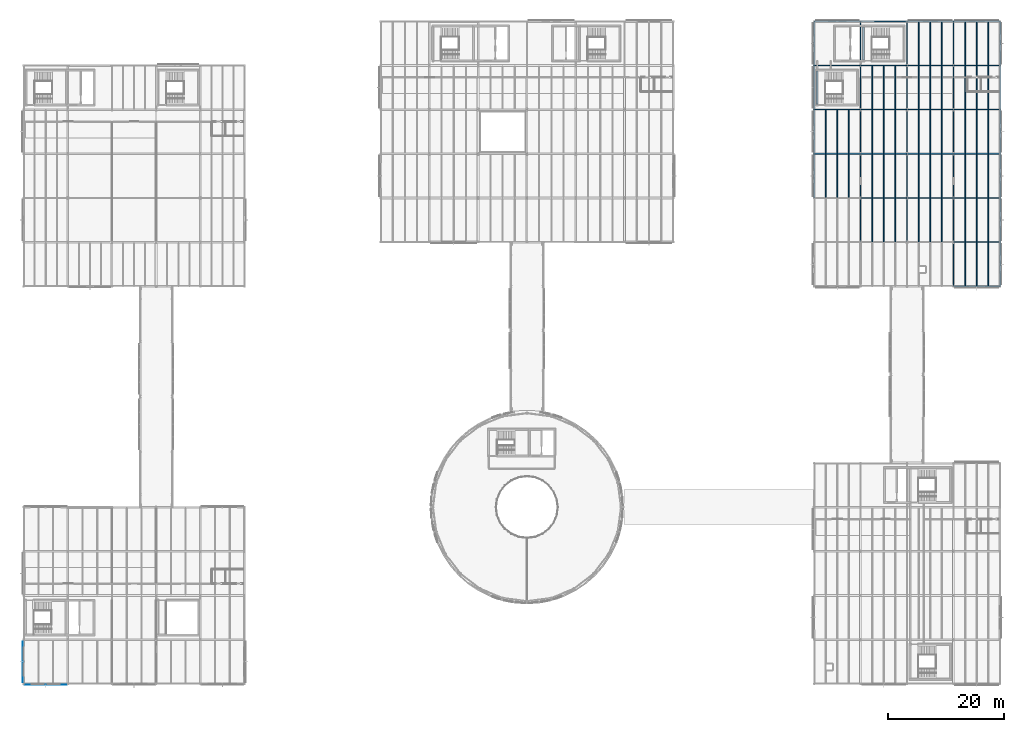
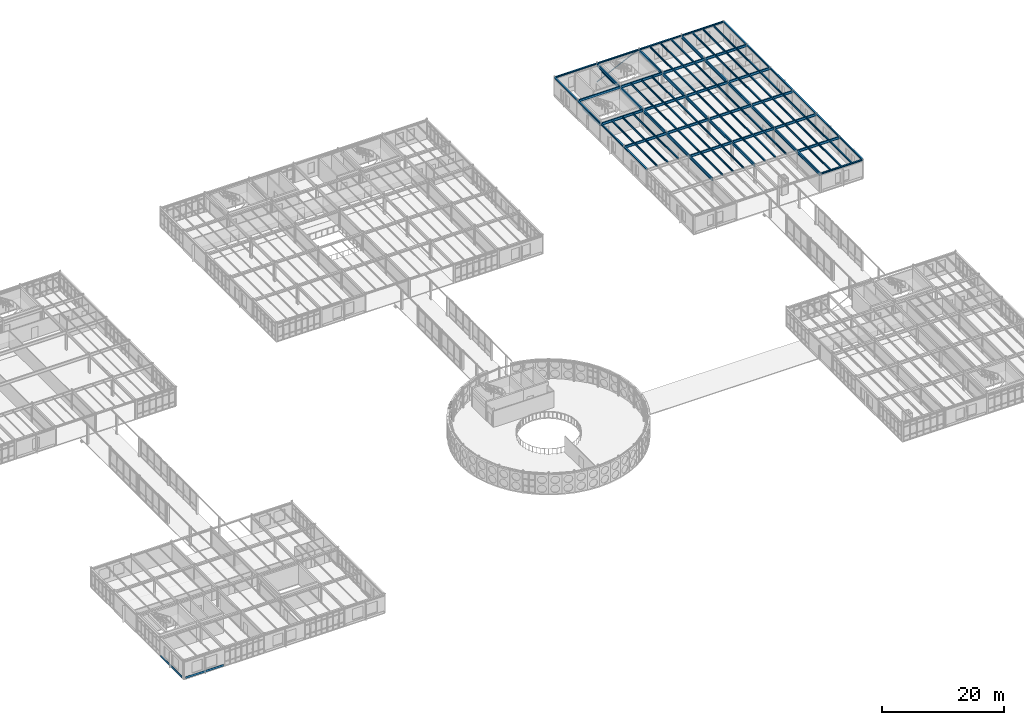
# One storey, part 136 of 189: 100 beams, 2 plates, 1 member.
"""IFC4 building model written with IfcOpenShell, lengths in metres."""

from ifc_helpers import new_model, si_unit, direction, frame, origin, origin_2d, place, context, subcontext, project, spatial, rectangle, hollow_circle, i_section, extrude, material, layer, layer_set, material_profile, profile_set, type_object, element, save


model = new_model("IFC4")

# Units and contexts
model_context = context("Model", 3, precision=1e-05, world=origin(), true_north=direction((0.0, 1.0)))
body_context = subcontext(model_context, "Body", "Model", "MODEL_VIEW")
ifc_project = project(units=[si_unit("LENGTHUNIT", "METRE"), si_unit("AREAUNIT", "SQUARE_METRE"), si_unit("VOLUMEUNIT", "CUBIC_METRE"), si_unit("PLANEANGLEUNIT", "RADIAN"), si_unit("MASSUNIT", "GRAM", prefix="KILO")], contexts=[model_context])

# Site, building, storey
site_placement = place(None, origin())
site = spatial("IfcSite", under=ifc_project, at=site_placement, CompositionType="ELEMENT")
building_placement = place(site_placement, origin())
building = spatial("IfcBuilding", under=site, at=building_placement, Name="Montecoro Central Library", CompositionType="ELEMENT")
storey_placement = place(building_placement, frame((0.0, 0.0, 9.179931640625)))
storey = spatial("IfcBuildingStorey", under=building, at=storey_placement, Name="L02", CompositionType="ELEMENT", Elevation=9.179931640625)

# Beams
ifc_material_1 = material(Name="Steel S355", Category="steel")
ifc_material_profile_1 = material_profile(ifc_material_1, i_section(OverallWidth=0.199951171875, OverallDepth=0.5, WebThickness=0.01025390625, FlangeThickness=0.01611328125, at=origin_2d()), Name="IPE 500")
ifc_profile_set_1 = profile_set([ifc_material_profile_1], Name="Steel S355")
beam_type_1 = type_object("IfcBeamType", Name="BM-G-IPE500", PredefinedType="USERDEFINED", material=ifc_profile_set_1)
for number, where, z_axis, x_axis, name in (
    (1, (165.0048828125, 81.0, 3.565185546875), (1.0, 0.0, 0.0), (0.0, 1.0, 0.0), "V5-L02-BX-2122-L"),
    (2, (149.0048828125, 88.60009765625, 3.565185546875), (1.0, 0.0, 0.0), (0.0, 1.0, 0.0), "V5-L02-BX-1920-M"),
    (3, (157.0048828125, 88.60009765625, 3.565185546875), (1.0, 0.0, 0.0), (0.0, 1.0, 0.0), "V5-L02-BX-2021-M"),
    (4, (165.0048828125, 88.60009765625, 3.565185546875), (1.0, 0.0, 0.0), (0.0, 1.0, 0.0), "V5-L02-BX-2122-M"),
    (5, (141.0048828125, 96.199951171875, 3.565185546875), (1.0, 0.0, 0.0), (0.0, 1.0, 0.0), "V5-L02-BX-1819-N"),
    (6, (149.0048828125, 96.199951171875, 3.565185546875), (1.0, 0.0, 0.0), (0.0, 1.0, 0.0), "V5-L02-BX-1920-N"),
    (7, (157.0048828125, 96.199951171875, 3.565185546875), (1.0, 0.0, 0.0), (0.0, 1.0, 0.0), "V5-L02-BX-2021-N"),
    (8, (165.0048828125, 96.199951171875, 3.565185546875), (1.0, 0.0, 0.0), (0.0, 1.0, 0.0), "V5-L02-BX-2122-N"),
    (9, (141.0048828125, 103.800048828125, 3.565185546875), (1.0, 0.0, 0.0), (0.0, 1.0, 0.0), "V5-L02-BX-1819-P"),
    (10, (149.0048828125, 103.800048828125, 3.565185546875), (1.0, 0.0, 0.0), (0.0, 1.0, 0.0), "V5-L02-BX-1920-P"),
    (11, (157.0048828125, 103.800048828125, 3.565185546875), (1.0, 0.0, 0.0), (0.0, 1.0, 0.0), "V5-L02-BX-2021-P"),
    (12, (165.0048828125, 103.800048828125, 3.565185546875), (1.0, 0.0, 0.0), (0.0, 1.0, 0.0), "V5-L02-BX-2122-P"),
    (13, (141.0048828125, 111.39990234375, 3.565185546875), (1.0, 0.0, 0.0), (0.0, 1.0, 0.0), "V5-L02-BX-1819-Q"),
    (14, (149.0048828125, 111.39990234375, 3.565185546875), (1.0, 0.0, 0.0), (0.0, 1.0, 0.0), "V5-L02-BX-1920-Q"),
    (15, (157.0048828125, 111.39990234375, 3.565185546875), (1.0, 0.0, 0.0), (0.0, 1.0, 0.0), "V5-L02-BX-2021-Q"),
    (16, (165.0048828125, 111.39990234375, 3.565185546875), (1.0, 0.0, 0.0), (0.0, 1.0, 0.0), "V5-L02-BX-2122-Q"),
):
    element("IfcBeam", number, at=place(storey_placement, frame(where, z_axis=z_axis, x_axis=x_axis)), inside=storey, type_object=beam_type_1, Name=name, ObjectType="GIRDER", PredefinedType="USERDEFINED", context=body_context, shape_type="SweptSolid", body=[
        extrude(i_section(OverallWidth=0.199951171875, OverallDepth=0.5, WebThickness=0.01025390625, FlangeThickness=0.01611328125, at=origin_2d()), origin(), (0.0, 0.0, 1.0), 7.990234375),
    ])
ifc_material_2 = material(Name="Steel S355J2", Category="steel")
ifc_material_profile_2 = material_profile(ifc_material_2, i_section(OverallWidth=0.219970703125, OverallDepth=0.60009765625, WebThickness=0.011962890625, FlangeThickness=0.01904296875, at=origin_2d()), Name="IPE 600")
ifc_profile_set_2 = profile_set([ifc_material_profile_2], Name="Steel S355J2")
beam_type_2 = type_object("IfcBeamType", Name="BM-G-IPE600", PredefinedType="USERDEFINED", material=ifc_profile_set_2)
for number, where, z_axis, x_axis, name in (
    (17, (149.0, 81.0048828125, 3.51513671875), (0.0, 1.0, 0.0), (-1.0, 0.0, 0.0), "V5-L02-BY-19-LM"),
    (18, (149.0, 88.60498046875, 3.51513671875), (0.0, 1.0, 0.0), (-1.0, 0.0, 0.0), "V5-L02-BY-19-MN"),
):
    element("IfcBeam", number, at=place(storey_placement, frame(where, z_axis=z_axis, x_axis=x_axis)), inside=storey, type_object=beam_type_2, Name=name, ObjectType="GIRDER", PredefinedType="USERDEFINED", context=body_context, shape_type="SweptSolid", body=[
        extrude(i_section(OverallWidth=0.219970703125, OverallDepth=0.60009765625, WebThickness=0.011962890625, FlangeThickness=0.01904296875, at=origin_2d()), origin(), (0.0, 0.0, 1.0), 7.590087890625),
    ])
beam_1_placement = place(storey_placement, frame((149.0, 96.205078125, 3.51513671875), z_axis=(0.0, 1.0, 0.0), x_axis=(-1.0, 0.0, 0.0)))
element("IfcBeam", 19, at=beam_1_placement, inside=storey, type_object=beam_type_2, Name="V5-L02-BY-19-NP", ObjectType="GIRDER", PredefinedType="USERDEFINED", context=body_context, shape_type="SweptSolid", body=[
    extrude(i_section(OverallWidth=0.219970703125, OverallDepth=0.60009765625, WebThickness=0.011962890625, FlangeThickness=0.01904296875, at=origin_2d()), origin(), (0.0, 0.0, 1.0), 7.58984375),
])
for number, where, z_axis, x_axis, name in (
    (20, (149.0, 103.804931640625, 3.51513671875), (0.0, 1.0, 0.0), (-1.0, 0.0, 0.0), "V5-L02-BY-19-PQ"),
    (21, (149.0, 111.405029296875, 3.51513671875), (0.0, 1.0, 0.0), (-1.0, 0.0, 0.0), "V5-L02-BY-19-QR"),
    (22, (157.0, 81.0048828125, 3.51513671875), (0.0, 1.0, 0.0), (-1.0, 0.0, 0.0), "V5-L02-BY-20-LM"),
    (23, (157.0, 88.60498046875, 3.51513671875), (0.0, 1.0, 0.0), (-1.0, 0.0, 0.0), "V5-L02-BY-20-MN"),
):
    element("IfcBeam", number, at=place(storey_placement, frame(where, z_axis=z_axis, x_axis=x_axis)), inside=storey, type_object=beam_type_2, Name=name, ObjectType="GIRDER", PredefinedType="USERDEFINED", context=body_context, shape_type="SweptSolid", body=[
        extrude(i_section(OverallWidth=0.219970703125, OverallDepth=0.60009765625, WebThickness=0.011962890625, FlangeThickness=0.01904296875, at=origin_2d()), origin(), (0.0, 0.0, 1.0), 7.590087890625),
    ])
beam_2_placement = place(storey_placement, frame((157.0, 96.205078125, 3.51513671875), z_axis=(0.0, 1.0, 0.0), x_axis=(-1.0, 0.0, 0.0)))
element("IfcBeam", 24, at=beam_2_placement, inside=storey, type_object=beam_type_2, Name="V5-L02-BY-20-NP", ObjectType="GIRDER", PredefinedType="USERDEFINED", context=body_context, shape_type="SweptSolid", body=[
    extrude(i_section(OverallWidth=0.219970703125, OverallDepth=0.60009765625, WebThickness=0.011962890625, FlangeThickness=0.01904296875, at=origin_2d()), origin(), (0.0, 0.0, 1.0), 7.58984375),
])
for number, where, z_axis, x_axis, name in (
    (25, (157.0, 103.804931640625, 3.51513671875), (0.0, 1.0, 0.0), (-1.0, 0.0, 0.0), "V5-L02-BY-20-PQ"),
    (26, (157.0, 111.405029296875, 3.51513671875), (0.0, 1.0, 0.0), (-1.0, 0.0, 0.0), "V5-L02-BY-20-QR"),
    (27, (165.0, 73.405029296875, 3.51513671875), (0.0, 1.0, 0.0), (-1.0, 0.0, 0.0), "V5-L02-BY-21-KL"),
    (28, (165.0, 81.0048828125, 3.51513671875), (0.0, 1.0, 0.0), (-1.0, 0.0, 0.0), "V5-L02-BY-21-LM"),
    (29, (165.0, 88.60498046875, 3.51513671875), (0.0, 1.0, 0.0), (-1.0, 0.0, 0.0), "V5-L02-BY-21-MN"),
):
    element("IfcBeam", number, at=place(storey_placement, frame(where, z_axis=z_axis, x_axis=x_axis)), inside=storey, type_object=beam_type_2, Name=name, ObjectType="GIRDER", PredefinedType="USERDEFINED", context=body_context, shape_type="SweptSolid", body=[
        extrude(i_section(OverallWidth=0.219970703125, OverallDepth=0.60009765625, WebThickness=0.011962890625, FlangeThickness=0.01904296875, at=origin_2d()), origin(), (0.0, 0.0, 1.0), 7.590087890625),
    ])
beam_3_placement = place(storey_placement, frame((165.0, 96.205078125, 3.51513671875), z_axis=(0.0, 1.0, 0.0), x_axis=(-1.0, 0.0, 0.0)))
element("IfcBeam", 30, at=beam_3_placement, inside=storey, type_object=beam_type_2, Name="V5-L02-BY-21-NP", ObjectType="GIRDER", PredefinedType="USERDEFINED", context=body_context, shape_type="SweptSolid", body=[
    extrude(i_section(OverallWidth=0.219970703125, OverallDepth=0.60009765625, WebThickness=0.011962890625, FlangeThickness=0.01904296875, at=origin_2d()), origin(), (0.0, 0.0, 1.0), 7.58984375),
])
for number, where, z_axis, x_axis, name in (
    (31, (165.0, 103.804931640625, 3.51513671875), (0.0, 1.0, 0.0), (-1.0, 0.0, 0.0), "V5-L02-BY-21-PQ"),
    (32, (165.0, 111.405029296875, 3.51513671875), (0.0, 1.0, 0.0), (-1.0, 0.0, 0.0), "V5-L02-BY-21-QR"),
):
    element("IfcBeam", number, at=place(storey_placement, frame(where, z_axis=z_axis, x_axis=x_axis)), inside=storey, type_object=beam_type_2, Name=name, ObjectType="GIRDER", PredefinedType="USERDEFINED", context=body_context, shape_type="SweptSolid", body=[
        extrude(i_section(OverallWidth=0.219970703125, OverallDepth=0.60009765625, WebThickness=0.011962890625, FlangeThickness=0.01904296875, at=origin_2d()), origin(), (0.0, 0.0, 1.0), 7.590087890625),
    ])
ifc_material_profile_3 = material_profile(ifc_material_1, i_section(OverallWidth=0.169921875, OverallDepth=0.360107421875, WebThickness=0.008056640625, FlangeThickness=0.0126953125, at=origin_2d()), Name="IPE 360")
ifc_profile_set_3 = profile_set([ifc_material_profile_3], Name="Steel S355")
beam_type_3 = type_object("IfcBeamType", Name="BM-J-IPE360", PredefinedType="JOIST", material=ifc_profile_set_3)
for number, where, z_axis, x_axis, name in (
    (33, (143.0, 88.697021484375, 3.635009765625), (0.0, 1.0, 0.0), (-1.0, 0.0, 0.0), "V5-L02-JS-1819-MN-1"),
    (34, (145.0, 88.697021484375, 3.635009765625), (0.0, 1.0, 0.0), (-1.0, 0.0, 0.0), "V5-L02-JS-1819-MN-2"),
    (35, (147.0, 88.697021484375, 3.635009765625), (0.0, 1.0, 0.0), (-1.0, 0.0, 0.0), "V5-L02-JS-1819-MN-3"),
):
    element("IfcBeam", number, at=place(storey_placement, frame(where, z_axis=z_axis, x_axis=x_axis)), inside=storey, type_object=beam_type_3, Name=name, PredefinedType="JOIST", context=body_context, shape_type="SweptSolid", body=[
        extrude(i_section(OverallWidth=0.169921875, OverallDepth=0.360107421875, WebThickness=0.008056640625, FlangeThickness=0.0126953125, at=origin_2d()), origin(), (0.0, 0.0, 1.0), 7.406005859375),
    ])
for number, where, z_axis, x_axis, name in (
    (36, (143.0, 96.297119140625, 3.635009765625), (0.0, 1.0, 0.0), (-1.0, 0.0, 0.0), "V5-L02-JS-1819-NP-1"),
    (37, (145.0, 96.297119140625, 3.635009765625), (0.0, 1.0, 0.0), (-1.0, 0.0, 0.0), "V5-L02-JS-1819-NP-2"),
    (38, (147.0, 96.297119140625, 3.635009765625), (0.0, 1.0, 0.0), (-1.0, 0.0, 0.0), "V5-L02-JS-1819-NP-3"),
):
    element("IfcBeam", number, at=place(storey_placement, frame(where, z_axis=z_axis, x_axis=x_axis)), inside=storey, type_object=beam_type_3, Name=name, PredefinedType="JOIST", context=body_context, shape_type="SweptSolid", body=[
        extrude(i_section(OverallWidth=0.169921875, OverallDepth=0.360107421875, WebThickness=0.008056640625, FlangeThickness=0.0126953125, at=origin_2d()), origin(), (0.0, 0.0, 1.0), 7.40576171875),
    ])
for number, where, z_axis, x_axis, name in (
    (39, (151.0, 81.096923828125, 3.635009765625), (0.0, 1.0, 0.0), (-1.0, 0.0, 0.0), "V5-L02-JS-1920-LM-1"),
    (40, (153.0, 81.096923828125, 3.635009765625), (0.0, 1.0, 0.0), (-1.0, 0.0, 0.0), "V5-L02-JS-1920-LM-2"),
    (41, (155.0, 81.096923828125, 3.635009765625), (0.0, 1.0, 0.0), (-1.0, 0.0, 0.0), "V5-L02-JS-1920-LM-3"),
    (42, (151.0, 88.697021484375, 3.635009765625), (0.0, 1.0, 0.0), (-1.0, 0.0, 0.0), "V5-L02-JS-1920-MN-1"),
    (43, (153.0, 88.697021484375, 3.635009765625), (0.0, 1.0, 0.0), (-1.0, 0.0, 0.0), "V5-L02-JS-1920-MN-2"),
    (44, (155.0, 88.697021484375, 3.635009765625), (0.0, 1.0, 0.0), (-1.0, 0.0, 0.0), "V5-L02-JS-1920-MN-3"),
):
    element("IfcBeam", number, at=place(storey_placement, frame(where, z_axis=z_axis, x_axis=x_axis)), inside=storey, type_object=beam_type_3, Name=name, PredefinedType="JOIST", context=body_context, shape_type="SweptSolid", body=[
        extrude(i_section(OverallWidth=0.169921875, OverallDepth=0.360107421875, WebThickness=0.008056640625, FlangeThickness=0.0126953125, at=origin_2d()), origin(), (0.0, 0.0, 1.0), 7.406005859375),
    ])
for number, where, z_axis, x_axis, name in (
    (45, (151.0, 96.297119140625, 3.635009765625), (0.0, 1.0, 0.0), (-1.0, 0.0, 0.0), "V5-L02-JS-1920-NP-1"),
    (46, (153.0, 96.297119140625, 3.635009765625), (0.0, 1.0, 0.0), (-1.0, 0.0, 0.0), "V5-L02-JS-1920-NP-2"),
    (47, (155.0, 96.297119140625, 3.635009765625), (0.0, 1.0, 0.0), (-1.0, 0.0, 0.0), "V5-L02-JS-1920-NP-3"),
):
    element("IfcBeam", number, at=place(storey_placement, frame(where, z_axis=z_axis, x_axis=x_axis)), inside=storey, type_object=beam_type_3, Name=name, PredefinedType="JOIST", context=body_context, shape_type="SweptSolid", body=[
        extrude(i_section(OverallWidth=0.169921875, OverallDepth=0.360107421875, WebThickness=0.008056640625, FlangeThickness=0.0126953125, at=origin_2d()), origin(), (0.0, 0.0, 1.0), 7.40576171875),
    ])
for number, where, z_axis, x_axis, name in (
    (48, (151.0, 103.89697265625, 3.635009765625), (0.0, 1.0, 0.0), (-1.0, 0.0, 0.0), "V5-L02-JS-1920-PQ-1"),
    (49, (153.0, 103.89697265625, 3.635009765625), (0.0, 1.0, 0.0), (-1.0, 0.0, 0.0), "V5-L02-JS-1920-PQ-2"),
    (50, (155.0, 103.89697265625, 3.635009765625), (0.0, 1.0, 0.0), (-1.0, 0.0, 0.0), "V5-L02-JS-1920-PQ-3"),
    (51, (159.0, 81.096923828125, 3.635009765625), (0.0, 1.0, 0.0), (-1.0, 0.0, 0.0), "V5-L02-JS-2021-LM-1"),
    (52, (161.0, 81.096923828125, 3.635009765625), (0.0, 1.0, 0.0), (-1.0, 0.0, 0.0), "V5-L02-JS-2021-LM-2"),
    (53, (163.0, 81.096923828125, 3.635009765625), (0.0, 1.0, 0.0), (-1.0, 0.0, 0.0), "V5-L02-JS-2021-LM-3"),
    (54, (159.0, 88.697021484375, 3.635009765625), (0.0, 1.0, 0.0), (-1.0, 0.0, 0.0), "V5-L02-JS-2021-MN-1"),
    (55, (161.0, 88.697021484375, 3.635009765625), (0.0, 1.0, 0.0), (-1.0, 0.0, 0.0), "V5-L02-JS-2021-MN-2"),
    (56, (163.0, 88.697021484375, 3.635009765625), (0.0, 1.0, 0.0), (-1.0, 0.0, 0.0), "V5-L02-JS-2021-MN-3"),
):
    element("IfcBeam", number, at=place(storey_placement, frame(where, z_axis=z_axis, x_axis=x_axis)), inside=storey, type_object=beam_type_3, Name=name, PredefinedType="JOIST", context=body_context, shape_type="SweptSolid", body=[
        extrude(i_section(OverallWidth=0.169921875, OverallDepth=0.360107421875, WebThickness=0.008056640625, FlangeThickness=0.0126953125, at=origin_2d()), origin(), (0.0, 0.0, 1.0), 7.406005859375),
    ])
for number, where, z_axis, x_axis, name in (
    (57, (159.0, 96.297119140625, 3.635009765625), (0.0, 1.0, 0.0), (-1.0, 0.0, 0.0), "V5-L02-JS-2021-NP-1"),
    (58, (161.0, 96.297119140625, 3.635009765625), (0.0, 1.0, 0.0), (-1.0, 0.0, 0.0), "V5-L02-JS-2021-NP-2"),
    (59, (163.0, 96.297119140625, 3.635009765625), (0.0, 1.0, 0.0), (-1.0, 0.0, 0.0), "V5-L02-JS-2021-NP-3"),
):
    element("IfcBeam", number, at=place(storey_placement, frame(where, z_axis=z_axis, x_axis=x_axis)), inside=storey, type_object=beam_type_3, Name=name, PredefinedType="JOIST", context=body_context, shape_type="SweptSolid", body=[
        extrude(i_section(OverallWidth=0.169921875, OverallDepth=0.360107421875, WebThickness=0.008056640625, FlangeThickness=0.0126953125, at=origin_2d()), origin(), (0.0, 0.0, 1.0), 7.40576171875),
    ])
for number, where, z_axis, x_axis, name in (
    (60, (159.0, 103.89697265625, 3.635009765625), (0.0, 1.0, 0.0), (-1.0, 0.0, 0.0), "V5-L02-JS-2021-PQ-1"),
    (61, (161.0, 103.89697265625, 3.635009765625), (0.0, 1.0, 0.0), (-1.0, 0.0, 0.0), "V5-L02-JS-2021-PQ-2"),
    (62, (163.0, 103.89697265625, 3.635009765625), (0.0, 1.0, 0.0), (-1.0, 0.0, 0.0), "V5-L02-JS-2021-PQ-3"),
):
    element("IfcBeam", number, at=place(storey_placement, frame(where, z_axis=z_axis, x_axis=x_axis)), inside=storey, type_object=beam_type_3, Name=name, PredefinedType="JOIST", context=body_context, shape_type="SweptSolid", body=[
        extrude(i_section(OverallWidth=0.169921875, OverallDepth=0.360107421875, WebThickness=0.008056640625, FlangeThickness=0.0126953125, at=origin_2d()), origin(), (0.0, 0.0, 1.0), 7.406005859375),
    ])
for number, where, z_axis, x_axis, name in (
    (63, (159.0, 111.4970703125, 3.635009765625), (0.0, 1.0, 0.0), (-1.0, 0.0, 0.0), "V5-L02-JS-2021-QR-1"),
    (64, (161.0, 111.4970703125, 3.635009765625), (0.0, 1.0, 0.0), (-1.0, 0.0, 0.0), "V5-L02-JS-2021-QR-2"),
    (65, (163.0, 111.4970703125, 3.635009765625), (0.0, 1.0, 0.0), (-1.0, 0.0, 0.0), "V5-L02-JS-2021-QR-3"),
    (66, (167.0, 73.527099609375, 3.635009765625), (0.0, 1.0, 0.0), (-1.0, 0.0, 0.0), "V5-L02-JS-2122-KL-1"),
    (67, (169.0, 73.527099609375, 3.635009765625), (0.0, 1.0, 0.0), (-1.0, 0.0, 0.0), "V5-L02-JS-2122-KL-2"),
    (68, (171.0, 73.527099609375, 3.635009765625), (0.0, 1.0, 0.0), (-1.0, 0.0, 0.0), "V5-L02-JS-2122-KL-3"),
):
    element("IfcBeam", number, at=place(storey_placement, frame(where, z_axis=z_axis, x_axis=x_axis)), inside=storey, type_object=beam_type_3, Name=name, PredefinedType="JOIST", context=body_context, shape_type="SweptSolid", body=[
        extrude(i_section(OverallWidth=0.169921875, OverallDepth=0.360107421875, WebThickness=0.008056640625, FlangeThickness=0.0126953125, at=origin_2d()), origin(), (0.0, 0.0, 1.0), 7.3759765625),
    ])
for number, where, z_axis, x_axis, name in (
    (69, (167.0, 81.096923828125, 3.635009765625), (0.0, 1.0, 0.0), (-1.0, 0.0, 0.0), "V5-L02-JS-2122-LM-1"),
    (70, (169.0, 81.096923828125, 3.635009765625), (0.0, 1.0, 0.0), (-1.0, 0.0, 0.0), "V5-L02-JS-2122-LM-2"),
    (71, (171.0, 81.096923828125, 3.635009765625), (0.0, 1.0, 0.0), (-1.0, 0.0, 0.0), "V5-L02-JS-2122-LM-3"),
    (72, (167.0, 88.697021484375, 3.635009765625), (0.0, 1.0, 0.0), (-1.0, 0.0, 0.0), "V5-L02-JS-2122-MN-1"),
    (73, (169.0, 88.697021484375, 3.635009765625), (0.0, 1.0, 0.0), (-1.0, 0.0, 0.0), "V5-L02-JS-2122-MN-2"),
    (74, (171.0, 88.697021484375, 3.635009765625), (0.0, 1.0, 0.0), (-1.0, 0.0, 0.0), "V5-L02-JS-2122-MN-3"),
):
    element("IfcBeam", number, at=place(storey_placement, frame(where, z_axis=z_axis, x_axis=x_axis)), inside=storey, type_object=beam_type_3, Name=name, PredefinedType="JOIST", context=body_context, shape_type="SweptSolid", body=[
        extrude(i_section(OverallWidth=0.169921875, OverallDepth=0.360107421875, WebThickness=0.008056640625, FlangeThickness=0.0126953125, at=origin_2d()), origin(), (0.0, 0.0, 1.0), 7.406005859375),
    ])
for number, where, z_axis, x_axis, name in (
    (75, (167.0, 96.297119140625, 3.635009765625), (0.0, 1.0, 0.0), (-1.0, 0.0, 0.0), "V5-L02-JS-2122-NP-1"),
    (76, (169.0, 96.297119140625, 3.635009765625), (0.0, 1.0, 0.0), (-1.0, 0.0, 0.0), "V5-L02-JS-2122-NP-2"),
    (77, (171.0, 96.297119140625, 3.635009765625), (0.0, 1.0, 0.0), (-1.0, 0.0, 0.0), "V5-L02-JS-2122-NP-3"),
):
    element("IfcBeam", number, at=place(storey_placement, frame(where, z_axis=z_axis, x_axis=x_axis)), inside=storey, type_object=beam_type_3, Name=name, PredefinedType="JOIST", context=body_context, shape_type="SweptSolid", body=[
        extrude(i_section(OverallWidth=0.169921875, OverallDepth=0.360107421875, WebThickness=0.008056640625, FlangeThickness=0.0126953125, at=origin_2d()), origin(), (0.0, 0.0, 1.0), 7.40576171875),
    ])
for number, where, z_axis, x_axis, name in (
    (78, (167.0, 103.89697265625, 3.635009765625), (0.0, 1.0, 0.0), (-1.0, 0.0, 0.0), "V5-L02-JS-2122-PQ-1"),
    (79, (169.0, 103.89697265625, 3.635009765625), (0.0, 1.0, 0.0), (-1.0, 0.0, 0.0), "V5-L02-JS-2122-PQ-2"),
    (80, (171.0, 103.89697265625, 3.635009765625), (0.0, 1.0, 0.0), (-1.0, 0.0, 0.0), "V5-L02-JS-2122-PQ-3"),
):
    element("IfcBeam", number, at=place(storey_placement, frame(where, z_axis=z_axis, x_axis=x_axis)), inside=storey, type_object=beam_type_3, Name=name, PredefinedType="JOIST", context=body_context, shape_type="SweptSolid", body=[
        extrude(i_section(OverallWidth=0.169921875, OverallDepth=0.360107421875, WebThickness=0.008056640625, FlangeThickness=0.0126953125, at=origin_2d()), origin(), (0.0, 0.0, 1.0), 7.406005859375),
    ])
for number, where, z_axis, x_axis, name in (
    (81, (167.0, 111.4970703125, 3.635009765625), (0.0, 1.0, 0.0), (-1.0, 0.0, 0.0), "V5-L02-JS-2122-QR-1"),
    (82, (169.0, 111.4970703125, 3.635009765625), (0.0, 1.0, 0.0), (-1.0, 0.0, 0.0), "V5-L02-JS-2122-QR-2"),
    (83, (171.0, 111.4970703125, 3.635009765625), (0.0, 1.0, 0.0), (-1.0, 0.0, 0.0), "V5-L02-JS-2122-QR-3"),
):
    element("IfcBeam", number, at=place(storey_placement, frame(where, z_axis=z_axis, x_axis=x_axis)), inside=storey, type_object=beam_type_3, Name=name, PredefinedType="JOIST", context=body_context, shape_type="SweptSolid", body=[
        extrude(i_section(OverallWidth=0.169921875, OverallDepth=0.360107421875, WebThickness=0.008056640625, FlangeThickness=0.0126953125, at=origin_2d()), origin(), (0.0, 0.0, 1.0), 7.3759765625),
    ])
ifc_material_3 = material(Name="Concrete C35/45", Category="concrete")
ifc_material_profile_4 = material_profile(ifc_material_3, rectangle(XDim=0.35009765625, YDim=0.60009765625, at=origin_2d()), Name="RC LNT 600x350")
ifc_profile_set_4 = profile_set([ifc_material_profile_4], Name="Concrete C35/45")
beam_type_4 = type_object("IfcBeamType", Name="BM-LN-RC01", PredefinedType="LINTEL", material=ifc_profile_set_4)
beam_4_placement = place(storey_placement, frame((149.5, 112.35009765625, 2.75), z_axis=(0.0, 1.0, 0.0), x_axis=(-1.0, 0.0, 0.0)))
element("IfcBeam", 84, at=beam_4_placement, inside=storey, type_object=beam_type_4, Name="C6-L02-LNT", PredefinedType="LINTEL", context=body_context, shape_type="SweptSolid", body=[
    extrude(rectangle(XDim=0.35009765625, YDim=0.60009765625, at=origin_2d()), origin(), (0.0, 0.0, 1.0), 5.699951171875),
])
ifc_material_profile_5 = material_profile(ifc_material_3, rectangle(XDim=0.320068359375, YDim=0.5, at=origin_2d()), Name="RC LNT 500x320")
ifc_profile_set_5 = profile_set([ifc_material_profile_5], Name="Concrete C35/45")
beam_type_5 = type_object("IfcBeamType", Name="BM-LN-RC03", PredefinedType="LINTEL", material=ifc_profile_set_5)
beam_5_placement = place(storey_placement, frame((141.5, 104.75, 2.699951171875), z_axis=(0.0, 1.0, 0.0), x_axis=(-1.0, 0.0, 0.0)))
element("IfcBeam", 85, at=beam_5_placement, inside=storey, type_object=beam_type_5, Name="C8-L02-LNT", PredefinedType="LINTEL", context=body_context, shape_type="SweptSolid", body=[
    extrude(rectangle(XDim=0.320068359375, YDim=0.5, at=origin_2d()), origin(), (0.0, 0.0, 1.0), 5.699951171875),
])
ifc_material_profile_6 = material_profile(ifc_material_1, i_section(OverallWidth=0.260009765625, OverallDepth=0.25, WebThickness=0.007568359375, FlangeThickness=0.012451171875, at=origin_2d()), Name="HEA 260")
ifc_profile_set_6 = profile_set([ifc_material_profile_6], Name="Steel S355")
beam_type_6 = type_object("IfcBeamType", Name="BM-SP-HEA260", PredefinedType="SPANDREL", material=ifc_profile_set_6)
for number, where, z_axis, x_axis, name in (
    (86, (165.0048828125, 73.39990234375, 3.690185546875), (1.0, 0.0, 0.0), (0.0, 1.0, 0.0), "V5-L02-BX-2122-K"),
    (87, (141.0048828125, 119.0, 3.690185546875), (1.0, 0.0, 0.0), (0.0, 1.0, 0.0), "V5-L02-BX-1819-R"),
    (88, (149.0048828125, 119.0, 3.690185546875), (1.0, 0.0, 0.0), (0.0, 1.0, 0.0), "V5-L02-BX-1920-R"),
    (89, (157.0048828125, 119.0, 3.690185546875), (1.0, 0.0, 0.0), (0.0, 1.0, 0.0), "V5-L02-BX-2021-R"),
    (90, (165.0048828125, 119.0, 3.690185546875), (1.0, 0.0, 0.0), (0.0, 1.0, 0.0), "V5-L02-BX-2122-R"),
):
    element("IfcBeam", number, at=place(storey_placement, frame(where, z_axis=z_axis, x_axis=x_axis)), inside=storey, type_object=beam_type_6, Name=name, PredefinedType="SPANDREL", context=body_context, shape_type="SweptSolid", body=[
        extrude(i_section(OverallWidth=0.260009765625, OverallDepth=0.25, WebThickness=0.007568359375, FlangeThickness=0.012451171875, at=origin_2d()), origin(), (0.0, 0.0, 1.0), 7.990234375),
    ])
beam_6_placement = place(storey_placement, frame((141.0, 88.60498046875, 3.690185546875), z_axis=(0.0, 1.0, 0.0), x_axis=(-1.0, 0.0, 0.0)))
element("IfcBeam", 91, at=beam_6_placement, inside=storey, type_object=beam_type_6, Name="V5-L02-BY-18-MN", PredefinedType="SPANDREL", context=body_context, shape_type="SweptSolid", body=[
    extrude(i_section(OverallWidth=0.260009765625, OverallDepth=0.25, WebThickness=0.007568359375, FlangeThickness=0.012451171875, at=origin_2d()), origin(), (0.0, 0.0, 1.0), 7.590087890625),
])
beam_7_placement = place(storey_placement, frame((141.0, 96.205078125, 3.690185546875), z_axis=(0.0, 1.0, 0.0), x_axis=(-1.0, 0.0, 0.0)))
element("IfcBeam", 92, at=beam_7_placement, inside=storey, type_object=beam_type_6, Name="V5-L02-BY-18-NP", PredefinedType="SPANDREL", context=body_context, shape_type="SweptSolid", body=[
    extrude(i_section(OverallWidth=0.260009765625, OverallDepth=0.25, WebThickness=0.007568359375, FlangeThickness=0.012451171875, at=origin_2d()), origin(), (0.0, 0.0, 1.0), 7.58984375),
])
for number, where, z_axis, x_axis, name in (
    (93, (141.0, 103.804931640625, 3.690185546875), (0.0, 1.0, 0.0), (-1.0, 0.0, 0.0), "V5-L02-BY-18-PQ"),
    (94, (141.0, 111.405029296875, 3.690185546875), (0.0, 1.0, 0.0), (-1.0, 0.0, 0.0), "V5-L02-BY-18-QR"),
    (95, (173.0, 73.405029296875, 3.690185546875), (0.0, 1.0, 0.0), (-1.0, 0.0, 0.0), "V5-L02-BY-22-KL"),
    (96, (173.0, 81.0048828125, 3.690185546875), (0.0, 1.0, 0.0), (-1.0, 0.0, 0.0), "V5-L02-BY-22-LM"),
    (97, (173.0, 88.60498046875, 3.690185546875), (0.0, 1.0, 0.0), (-1.0, 0.0, 0.0), "V5-L02-BY-22-MN"),
):
    element("IfcBeam", number, at=place(storey_placement, frame(where, z_axis=z_axis, x_axis=x_axis)), inside=storey, type_object=beam_type_6, Name=name, PredefinedType="SPANDREL", context=body_context, shape_type="SweptSolid", body=[
        extrude(i_section(OverallWidth=0.260009765625, OverallDepth=0.25, WebThickness=0.007568359375, FlangeThickness=0.012451171875, at=origin_2d()), origin(), (0.0, 0.0, 1.0), 7.590087890625),
    ])
beam_8_placement = place(storey_placement, frame((173.0, 96.205078125, 3.690185546875), z_axis=(0.0, 1.0, 0.0), x_axis=(-1.0, 0.0, 0.0)))
element("IfcBeam", 98, at=beam_8_placement, inside=storey, type_object=beam_type_6, Name="V5-L02-BY-22-NP", PredefinedType="SPANDREL", context=body_context, shape_type="SweptSolid", body=[
    extrude(i_section(OverallWidth=0.260009765625, OverallDepth=0.25, WebThickness=0.007568359375, FlangeThickness=0.012451171875, at=origin_2d()), origin(), (0.0, 0.0, 1.0), 7.58984375),
])
for number, where, z_axis, x_axis, name in (
    (99, (173.0, 103.804931640625, 3.690185546875), (0.0, 1.0, 0.0), (-1.0, 0.0, 0.0), "V5-L02-BY-22-PQ"),
    (100, (173.0, 111.405029296875, 3.690185546875), (0.0, 1.0, 0.0), (-1.0, 0.0, 0.0), "V5-L02-BY-22-QR"),
):
    element("IfcBeam", number, at=place(storey_placement, frame(where, z_axis=z_axis, x_axis=x_axis)), inside=storey, type_object=beam_type_6, Name=name, PredefinedType="SPANDREL", context=body_context, shape_type="SweptSolid", body=[
        extrude(i_section(OverallWidth=0.260009765625, OverallDepth=0.25, WebThickness=0.007568359375, FlangeThickness=0.012451171875, at=origin_2d()), origin(), (0.0, 0.0, 1.0), 7.590087890625),
    ])

# Member
ifc_material_profile_7 = material_profile(ifc_material_1, hollow_circle(Radius=0.096923828125, WallThickness=0.008056640625, at=origin_2d()), Name="CHS 193.7x8.0")
ifc_profile_set_7 = profile_set([ifc_material_profile_7], Name="Steel S355")
member_type = type_object("IfcMemberType", Name="MB-BR-CHS194", PredefinedType="BRACE", material=ifc_profile_set_7)
member_placement = place(storey_placement, frame((149.0, 119.0, 0.010009765625), z_axis=(0.903926481827, 0.0, 0.427687871528), x_axis=(0.0, 1.0, 0.0)))
element("IfcMember", 101, at=member_placement, inside=storey, type_object=member_type, Name="V5-L02-BRN1", PredefinedType="BRACE", context=body_context, shape_type="SweptSolid", body=[
    extrude(hollow_circle(Radius=0.096923828125, WallThickness=0.008056640625, at=origin_2d()), origin(), (0.0, 0.0, 1.0), 8.850341796875),
])

# Plates
ifc_material_4 = material(Name="Architectural bronze spandrel plate", Category="aluminium")
ifc_layer = layer(ifc_material_4, 0.035888671875)
ifc_layer_set = layer_set([ifc_layer], Name="Architectural bronze spandrel plate")
plate_type = type_object("IfcPlateType", Name="PLT-SPN-03", PredefinedType="SHEET", material=ifc_layer_set)
plate_1_placement = place(storey_placement, frame((8.800048828125, 4.826904296875, 0.16015625), z_axis=(0.0, 0.0, 1.0), x_axis=(1.0, 0.0, 0.0)))
element("IfcPlate", 102, at=plate_1_placement, inside=storey, type_object=plate_type, Name="V3-L02-SPN-S0", PredefinedType="SHEET", context=body_context, shape_type="SweptSolid", body=[
    extrude(rectangle(XDim=7.19189453125, YDim=0.035888671875, at=origin_2d()), origin(), (0.0, 0.0, 1.0), 0.39990234375),
])
plate_2_placement = place(storey_placement, frame((4.826904296875, 8.800048828125, 0.16015625), z_axis=(0.0, 0.0, 1.0), x_axis=(0.0, -1.0, 0.0)))
element("IfcPlate", 103, at=plate_2_placement, inside=storey, type_object=plate_type, Name="V3-L02-SPN-W0", PredefinedType="SHEET", context=body_context, shape_type="SweptSolid", body=[
    extrude(rectangle(XDim=6.964111328125, YDim=0.035888671875, at=origin_2d()), origin(), (0.0, 0.0, 1.0), 0.39990234375),
])

save(model, "model.ifc")
